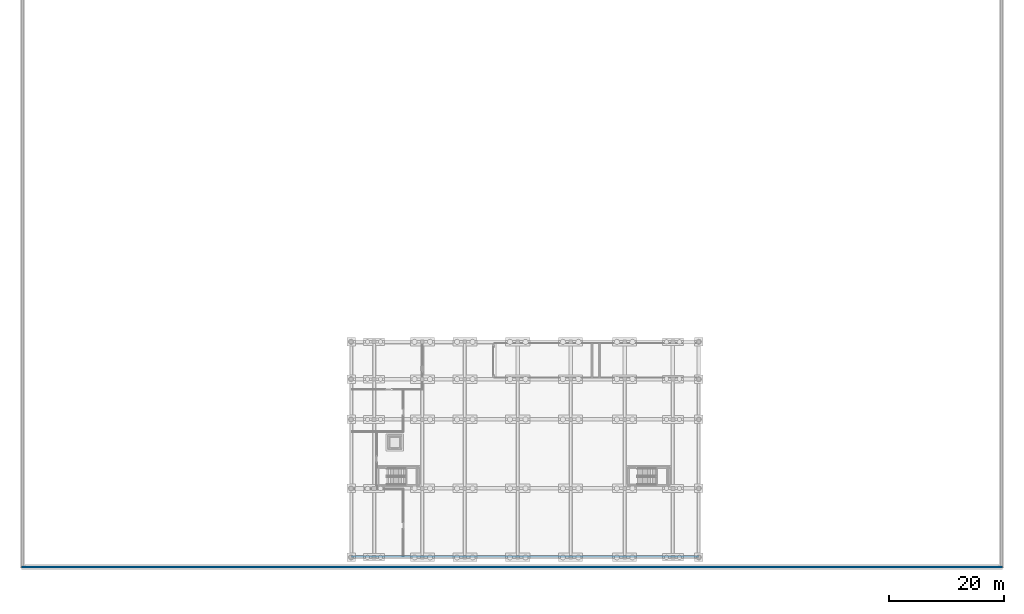
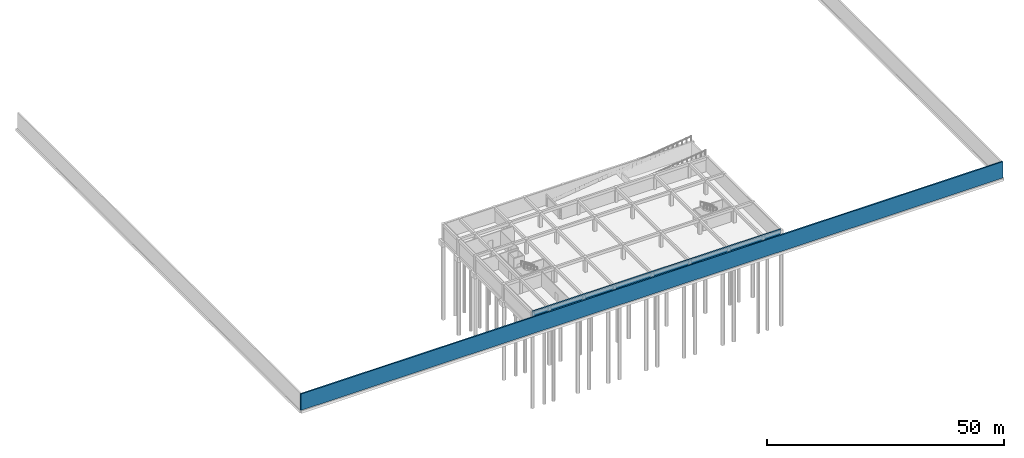
# One storey, part 5 of 10: 2 walls.
"""IFC4 building model written with IfcOpenShell, lengths in metres."""

import ifcopenshell
import ifcopenshell.guid

model = None  # the IFC model being written
_history = None  # IfcOwnerHistory: only IFC2X3 demands one
_inside = {}  # id of a spatial element -> (the spatial element, [elements in it])
_under = {}  # id of a project, library or spatial element -> (it, [spatial elements below it])
_declared = {}  # id of a project -> (the project, [libraries it declares])
_typed = {}  # id of a type object -> (the type object, [elements of that type])
_made_of = {}  # id of a material, layer set ... -> (it, [elements and type objects made of it])


def new_model(schema):
    """Start an empty IFC model of exactly this schema.

    Asked for "IFC4X3", IfcOpenShell would pick the latest addendum, in which some entities
    have other attributes; the version numbers below select the first issue.
    IFC2X3 requires an IfcOwnerHistory on every rooted entity: one is made here for all.
    """
    global model, _history
    if schema == "IFC4X3":
        model = ifcopenshell.file(schema_version=(4, 3, 0, 0))
    else:
        model = ifcopenshell.file(schema=schema)
    _inside.clear()
    _under.clear()
    _declared.clear()
    _typed.clear()
    _made_of.clear()
    _history = None
    if model.schema == "IFC2X3":
        org = make("IfcOrganization", Name="unknown")
        user = make(
            "IfcPersonAndOrganization",
            ThePerson=make("IfcPerson", FamilyName="unknown"),
            TheOrganization=org,
        )
        app = make(
            "IfcApplication",
            ApplicationDeveloper=org,
            Version="unknown",
            ApplicationFullName="unknown",
            ApplicationIdentifier="unknown",
        )
        _history = make(
            "IfcOwnerHistory",
            OwningUser=user,
            OwningApplication=app,
            ChangeAction="ADDED",
            CreationDate=0,
        )
    return model


def make(cls, **values):
    """One entity of the class cls with the attributes given. An attribute that is None is left unset."""
    return model.create_entity(
        cls, **{name: value for name, value in values.items() if value is not None}
    )


def rooted(cls, **values):
    """An entity with a GlobalId (a new one), such as an element, a storey or a relation."""
    return make(cls, GlobalId=ifcopenshell.guid.new(), OwnerHistory=_history, **values)


def si_unit(unit_type, name, prefix=None):
    """IfcSIUnit, for example si_unit("LENGTHUNIT", "METRE", prefix="MILLI")."""
    return make("IfcSIUnit", UnitType=unit_type, Prefix=prefix, Name=name)


def assignment(units):
    """IfcUnitAssignment: the units of a project."""
    return None if units is None else make("IfcUnitAssignment", Units=units)


def point(xyz):
    """IfcCartesianPoint."""
    return None if xyz is None else make("IfcCartesianPoint", Coordinates=xyz)


def direction(xyz):
    """IfcDirection."""
    return None if xyz is None else make("IfcDirection", DirectionRatios=xyz)


def frame(location, z_axis=None, x_axis=None):
    """IfcAxis2Placement3D, a coordinate frame: its origin and axes. An axis left out is left unset."""
    return make(
        "IfcAxis2Placement3D",
        Location=point(location),
        Axis=direction(z_axis),
        RefDirection=direction(x_axis),
    )


def frame_2d(location, x_axis=None):
    """IfcAxis2Placement2D, a coordinate frame in the plane: its origin and x axis."""
    return make(
        "IfcAxis2Placement2D", Location=point(location), RefDirection=direction(x_axis)
    )


def origin():
    """The frame at (0, 0, 0) with its axes left unset."""
    return frame((0.0, 0.0, 0.0))


def place(relative_to, where):
    """IfcLocalPlacement: puts the frame where relative to a parent placement (None: the world)."""
    return make(
        "IfcLocalPlacement", PlacementRelTo=relative_to, RelativePlacement=where
    )


def context(
    kind, dimensions, precision=None, world=None, true_north=None, identifier=None
):
    """IfcGeometricRepresentationContext, for example the 3D "Model" context."""
    return make(
        "IfcGeometricRepresentationContext",
        ContextIdentifier=identifier,
        ContextType=kind,
        CoordinateSpaceDimension=dimensions,
        Precision=precision,
        WorldCoordinateSystem=world,
        TrueNorth=true_north,
    )


def subcontext(parent, identifier, kind, view, scale=None):
    """IfcGeometricRepresentationSubContext, for example "Body" below "Model"."""
    return make(
        "IfcGeometricRepresentationSubContext",
        ContextIdentifier=identifier,
        ContextType=kind,
        ParentContext=parent,
        TargetScale=scale,
        TargetView=view,
    )


def project(units=None, contexts=None):
    """IfcProject with its units and contexts."""
    return rooted(
        "IfcProject",
        Name="project",
        RepresentationContexts=contexts,
        UnitsInContext=assignment(units),
    )


def spatial(cls, under=None, at=None, **own):
    """A site, building, storey or space (cls), placed at a placement, below another one or the project."""
    s = rooted(cls, ObjectPlacement=at, **own)
    if under is not None:
        _under.setdefault(under.id(), (under, []))[1].append(s)
    return s


def profile(cls, at=None, kind="AREA", **sizes):
    """A parametric profile (cls). Its sizes go by their IFC names, for example OverallWidth=200.0."""
    return make(cls, ProfileType=kind, Position=at, **sizes)


def rectangle(**sizes):
    """IfcRectangleProfileDef."""
    return profile("IfcRectangleProfileDef", **sizes)


def extrude(swept, where, along, depth):
    """IfcExtrudedAreaSolid: the profile swept, set in the frame where, extruded along a direction by depth."""
    return make(
        "IfcExtrudedAreaSolid",
        SweptArea=swept,
        Position=where,
        ExtrudedDirection=direction(along),
        Depth=depth,
    )


def shape(context_of_items, identifier, shape_type, items):
    """IfcShapeRepresentation: the items that make up one representation, for example the "Body"."""
    return make(
        "IfcShapeRepresentation",
        ContextOfItems=context_of_items,
        RepresentationIdentifier=identifier,
        RepresentationType=shape_type,
        Items=items,
    )


def material(Name=None, Category=None):
    """IfcMaterial."""
    return make("IfcMaterial", Name=Name, Category=Category)


def layer(
    of_material, thickness, ventilated=None, Name=None, Category=None, Priority=None
):
    """IfcMaterialLayer: one layer of a wall or slab, of a material (None: an air gap)."""
    return make(
        "IfcMaterialLayer",
        Material=of_material,
        LayerThickness=thickness,
        IsVentilated=ventilated,
        Name=Name,
        Category=Category,
        Priority=Priority,
    )


def layer_set(layers, Name=None):
    """IfcMaterialLayerSet."""
    return make("IfcMaterialLayerSet", MaterialLayers=layers, LayerSetName=Name)


def made_of(thing, what):
    """Note that an element or type object is made of a material, layer set ...; save() writes the relation."""
    if what is not None:
        _made_of.setdefault(what.id(), (what, []))[1].append(thing)
    return thing


def type_object(cls, material=None, **own):
    """A type object (cls), such as IfcWallType, which elements share."""
    return made_of(rooted(cls, **own), material)


def element(
    cls,
    number,
    at=None,
    inside=None,
    cuts=None,
    type_object=None,
    material=None,
    context=None,
    identifier="Body",
    shape_type=None,
    held_by="IfcProductDefinitionShape",
    body=None,
    shapes=None,
    **own,
):
    """One element of the class cls, such as IfcWall. Its Tag is "e" and its number.

    at: its placement. inside: the storey or other place that contains it. cuts: it is an
    opening in that element (IfcRelVoidsElement). A single representation is given by context,
    identifier, shape_type and body (its items); several are given by shapes. held_by: the class
    of the entity that holds the representations. save() writes the other relations.
    """
    e = rooted(cls, Tag="e%d" % number, ObjectPlacement=at, **own)
    if body is not None:
        shapes = [shape(context, identifier, shape_type, body)]
    if shapes is not None:
        e.Representation = make(held_by, Representations=shapes)
    if inside is not None:
        _inside.setdefault(inside.id(), (inside, []))[1].append(e)
    if cuts is not None:
        rooted(
            "IfcRelVoidsElement", RelatingBuildingElement=cuts, RelatedOpeningElement=e
        )
    if type_object is not None:
        _typed.setdefault(type_object.id(), (type_object, []))[1].append(e)
    return made_of(e, material)


def aggregate(whole, parts):
    """IfcRelAggregates: a whole, such as a stair, and the parts it consists of."""
    return rooted("IfcRelAggregates", RelatingObject=whole, RelatedObjects=parts)


def save(model, path):
    """Write the relations noted so far, then the file.

    IfcRelAggregates (storeys below a building ...), IfcRelContainedInSpatialStructure (elements
    in a storey), IfcRelDefinesByType, IfcRelAssociatesMaterial and IfcRelDeclares: one each for
    every whole, place, type object, material and project.
    """
    for whole, parts in _under.values():
        aggregate(whole, parts)
    for where, things in _inside.values():
        rooted(
            "IfcRelContainedInSpatialStructure",
            RelatedElements=things,
            RelatingStructure=where,
        )
    for kind, things in _typed.values():
        rooted("IfcRelDefinesByType", RelatedObjects=things, RelatingType=kind)
    for what, things in _made_of.values():
        rooted("IfcRelAssociatesMaterial", RelatedObjects=things, RelatingMaterial=what)
    for by, libraries in _declared.values():
        rooted("IfcRelDeclares", RelatingContext=by, RelatedDefinitions=libraries)
    model.write(path)


model = new_model("IFC4")

# Units and contexts
model_context = context("Model", 3, precision=1e-05, world=origin(), true_north=direction((0.0, 1.0)))
body_context = subcontext(model_context, "Body", "Model", "MODEL_VIEW")
ifc_project = project(units=[si_unit("LENGTHUNIT", "METRE"), si_unit("AREAUNIT", "SQUARE_METRE"), si_unit("VOLUMEUNIT", "CUBIC_METRE"), si_unit("PLANEANGLEUNIT", "RADIAN"), si_unit("MASSUNIT", "GRAM", prefix="KILO")], contexts=[model_context])

# Site, building, storey
site_placement = place(None, origin())
site = spatial("IfcSite", under=ifc_project, at=site_placement, CompositionType="ELEMENT")
building_placement = place(site_placement, origin())
building = spatial("IfcBuilding", under=site, at=building_placement, Name="Kestramere Prow Commons", CompositionType="ELEMENT")
storey_placement = place(building_placement, frame((0.0, 0.0, -4.199951171875)))
storey = spatial("IfcBuildingStorey", under=building, at=storey_placement, Name="B1", CompositionType="ELEMENT", Elevation=-4.199951171875)

# Walls
ifc_material = material(Name="Pigmented Charcoal Concrete C35/45", Category="concrete")
ifc_layer = layer(ifc_material, 0.35009765625)
ifc_layer_set = layer_set([ifc_layer], Name="Pigmented Charcoal Concrete C35/45")
wall_type = type_object("IfcWallType", Name="W-RET-350", PredefinedType="USERDEFINED", material=ifc_layer_set)
wall_1_placement = place(storey_placement, frame((56.0, 0.175048828125, -0.35009765625), z_axis=(0.0, 0.0, 1.0), x_axis=(1.0, 0.0, 0.0)))
element("IfcWall", 1, at=wall_1_placement, inside=storey, type_object=wall_type, Name="B1 Perimeter Retaining Wall S", ObjectType="RETAINING WALL", PredefinedType="USERDEFINED", context=body_context, shape_type="SweptSolid", body=[
    extrude(rectangle(XDim=60.5, YDim=0.35009765625, at=frame_2d((30.25, 0.0))), origin(), (0.0, 0.0, 1.0), 4.199951171875),
])
wall_2_placement = place(storey_placement, frame((-1.35009765625, -1.675048828125, -0.35009765625), z_axis=(0.0, 0.0, 1.0), x_axis=(1.0, 0.0, 0.0)))
element("IfcWall", 2, at=wall_2_placement, inside=storey, type_object=wall_type, Name="Subterranean Granite Retaining Plinth Wall S", ObjectType="RETAINING WALL", PredefinedType="USERDEFINED", context=body_context, shape_type="SweptSolid", body=[
    extrude(rectangle(XDim=170.7001953125, YDim=0.35009765625, at=frame_2d((85.35009765625, 0.0))), origin(), (0.0, 0.0, 1.0), 4.199951171875),
])

save(model, "model.ifc")
